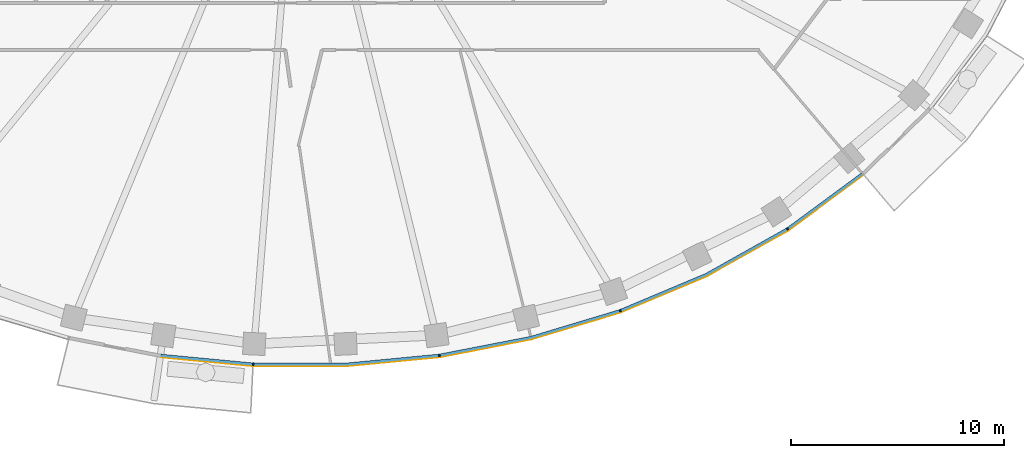
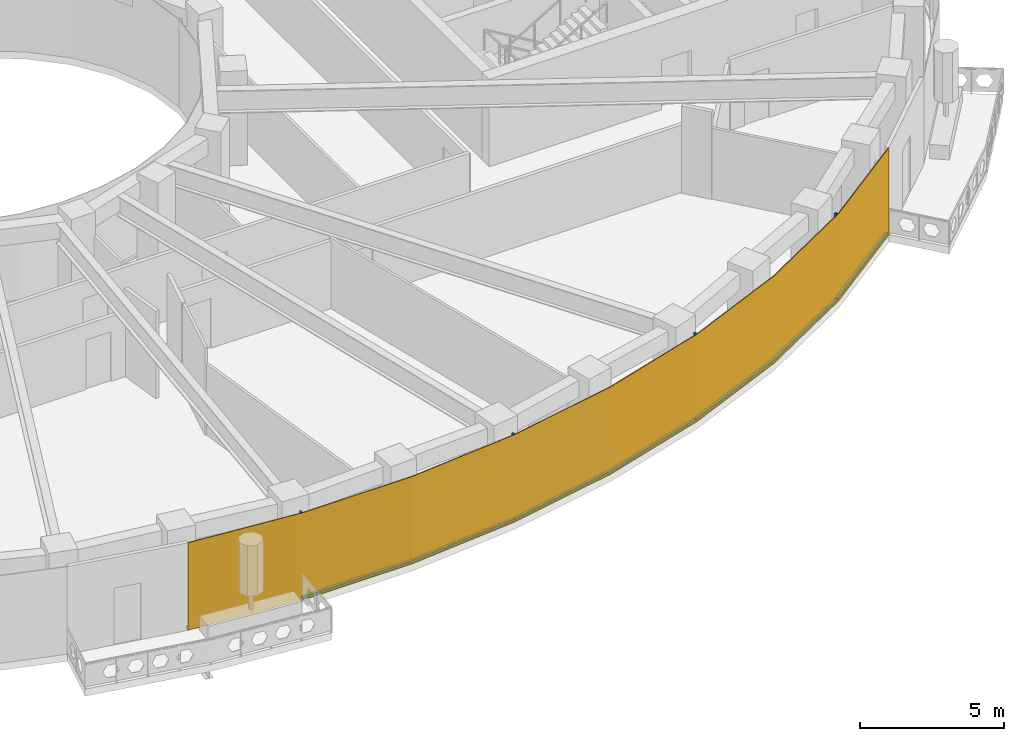
# One storey, part 9 of 16: 9 members, 1 curtain wall.
"""IFC4 building model written with IfcOpenShell, lengths in metres."""

from ifc_helpers import new_model, si_unit, direction, frame, origin, origin_2d, place, context, subcontext, project, spatial, polyline, rectangle, outline, extrude, material, layer, layer_set, material_profile, profile_set, type_object, element, aggregate, save


model = new_model("IFC4")

# Units and contexts
model_context = context("Model", 3, precision=1e-05, world=origin(), true_north=direction((0.0, 1.0)))
body_context = subcontext(model_context, "Body", "Model", "MODEL_VIEW")
ifc_project = project(units=[si_unit("LENGTHUNIT", "METRE"), si_unit("AREAUNIT", "SQUARE_METRE"), si_unit("VOLUMEUNIT", "CUBIC_METRE"), si_unit("PLANEANGLEUNIT", "RADIAN"), si_unit("MASSUNIT", "GRAM", prefix="KILO")], contexts=[model_context])

# Member
ifc_material_1 = material(Name="Aluminium 6063-T6 black anodised", Category="aluminium")
ifc_material_profile = material_profile(ifc_material_1, rectangle(XDim=0.1201171875, YDim=0.06005859375, at=origin_2d()), Name="120x60")
ifc_profile_set = profile_set([ifc_material_profile], Name="Aluminium 6063-T6 black anodised")
member_type_1 = type_object("IfcMemberType", Name="ENV-MULLION-A-120", PredefinedType="MULLION", material=ifc_profile_set)
site_placement = place(None, origin())
building_placement = place(site_placement, origin())
storey_placement = place(building_placement, frame((0.0, 0.0, 261.5)))
member_1_placement = place(storey_placement, frame((-2.188720703125, -27.856201171875, 0.0), z_axis=(0.0, 0.0, 1.0), x_axis=(0.047557873581, 0.998868484166, 0.0)))
member_1 = element("IfcMember", 1, at=member_1_placement, type_object=member_type_1, Name="Mullion A radial 35", PredefinedType="MULLION", context=body_context, shape_type="SweptSolid", body=[
    extrude(rectangle(XDim=0.1201171875, YDim=0.06005859375, at=origin_2d()), origin(), (0.0, 0.0, 1.0), 3.699951171875),
])

member_2_placement = place(storey_placement, frame((6.54638671875, -27.440185546875, 0.0), z_axis=(0.0, 0.0, 1.0), x_axis=(-0.143082012705, 0.989710835366, 0.0)))
member_2 = element("IfcMember", 2, at=member_2_placement, type_object=member_type_1, Name="Mullion A radial 37", PredefinedType="MULLION", context=body_context, shape_type="SweptSolid", body=[
    extrude(rectangle(XDim=0.1201171875, YDim=0.06005859375, at=origin_2d()), origin(), (0.0, 0.0, 1.0), 3.699951171875),
])

member_3_placement = place(storey_placement, frame((15.0341796875, -25.34375, 0.0), z_axis=(0.0, 0.0, 1.0), x_axis=(-0.338379256581, 0.941009818608, 0.0)))
member_3 = element("IfcMember", 3, at=member_3_placement, type_object=member_type_1, Name="Mullion A radial 39", PredefinedType="MULLION", context=body_context, shape_type="SweptSolid", body=[
    extrude(rectangle(XDim=0.1201171875, YDim=0.06005859375, at=origin_2d()), origin(), (0.0, 0.0, 1.0), 3.699951171875),
])

member_4_placement = place(storey_placement, frame((22.882568359375, -21.506591796875, 0.0), z_axis=(0.0, 0.0, 1.0), x_axis=(-0.542279153225, 0.840198381323, 0.0)))
member_4 = element("IfcMember", 4, at=member_4_placement, type_object=member_type_1, Name="Mullion A radial 41", PredefinedType="MULLION", context=body_context, shape_type="SweptSolid", body=[
    extrude(rectangle(XDim=0.1201171875, YDim=0.06005859375, at=origin_2d()), origin(), (0.0, 0.0, 1.0), 3.699951171875),
])

ifc_material_2 = material(Name="Aluminium 6063-T6 black anodised", Category="aluminium")
member_type_2 = type_object("IfcMemberType", Name="ENV-TRANSOM-A", PredefinedType="USERDEFINED", material=ifc_material_2)
member_5_placement = place(storey_placement, origin())
member_5 = element("IfcMember", 5, at=member_5_placement, type_object=member_type_2, Name="Transom A radial 34-35", ObjectType="TRANSOM", PredefinedType="USERDEFINED", context=body_context, shape_type="SweptSolid", body=[
    extrude(outline(polyline([(-6.53515625, -27.50146484375), (-2.219482421875, -27.913330078125), (-2.2138671875, -27.793212890625), (-6.51806640625, -27.382568359375), (-6.53515625, -27.50146484375)])), origin(), (0.0, 0.0, 1.0), 0.10009765625),
])

member_6_placement = place(storey_placement, origin())
member_6 = element("IfcMember", 6, at=member_6_placement, type_object=member_type_2, Name="Transom A radial 35-37", ObjectType="TRANSOM", PredefinedType="USERDEFINED", context=body_context, shape_type="SweptSolid", body=[
    extrude(outline(polyline([(-2.163818359375, -27.916015625), (2.191650390625, -27.916015625), (6.527099609375, -27.502197265625), (6.510009765625, -27.38330078125), (2.185791015625, -27.7958984375), (-2.157958984375, -27.7958984375), (-2.163818359375, -27.916015625)])), origin(), (0.0, 0.0, 1.0), 0.10009765625),
])

member_7_placement = place(storey_placement, origin())
member_7 = element("IfcMember", 7, at=member_7_placement, type_object=member_type_2, Name="Transom A radial 37-39", ObjectType="TRANSOM", PredefinedType="USERDEFINED", context=body_context, shape_type="SweptSolid", body=[
    extrude(outline(polyline([(6.58251953125, -27.494140625), (10.857666015625, -26.6630859375), (15.027587890625, -25.408203125), (14.987060546875, -25.295166015625), (10.828857421875, -26.54638671875), (6.5654296875, -27.375244140625), (6.58251953125, -27.494140625)])), origin(), (0.0, 0.0, 1.0), 0.10009765625),
])

member_8_placement = place(storey_placement, origin())
member_8 = element("IfcMember", 8, at=member_8_placement, type_object=member_type_2, Name="Transom A radial 39-41", ObjectType="TRANSOM", PredefinedType="USERDEFINED", context=body_context, shape_type="SweptSolid", body=[
    extrude(outline(polyline([(15.080322265625, -25.389404296875), (19.093994140625, -23.701416015625), (22.890625, -21.570556640625), (22.825439453125, -21.469482421875), (19.041259765625, -23.593505859375), (15.03955078125, -25.276123046875), (15.080322265625, -25.389404296875)])), origin(), (0.0, 0.0, 1.0), 0.10009765625),
])

member_9_placement = place(storey_placement, origin())
member_9 = element("IfcMember", 9, at=member_9_placement, type_object=member_type_2, Name="Transom A radial 41-42", ObjectType="TRANSOM", PredefinedType="USERDEFINED", context=body_context, shape_type="SweptSolid", body=[
    extrude(outline(polyline([(22.937744140625, -21.540283203125), (26.42626953125, -18.970703125), (26.348388671875, -18.87890625), (22.87255859375, -21.439208984375), (22.937744140625, -21.540283203125)])), origin(), (0.0, 0.0, 1.0), 0.10009765625),
])

# Site, building, storey
site = spatial("IfcSite", under=ifc_project, at=site_placement, CompositionType="ELEMENT")
building = spatial("IfcBuilding", under=site, at=building_placement, Name="Noorbagh Ring Tower", CompositionType="ELEMENT")
storey = spatial("IfcBuildingStorey", under=building, at=storey_placement, Name="L55", CompositionType="ELEMENT", Elevation=261.5)

# Curtain wall
ifc_material_3 = material(Name="Glass dark tinted laminated", Category="glass")
ifc_layer = layer(ifc_material_3, 0.031982421875)
ifc_layer_set = layer_set([ifc_layer], Name="Glass dark tinted laminated")
curtain_wall_type = type_object("IfcCurtainWallType", Name="ENV-CW-A", PredefinedType="NOTDEFINED", material=ifc_layer_set)
curtain_wall_placement = place(storey_placement, origin())
curtain_wall = element("IfcCurtainWall", 10, at=curtain_wall_placement, inside=storey, type_object=curtain_wall_type, Name="Curtain wall A R34", PredefinedType="NOTDEFINED", context=body_context, shape_type="SweptSolid", body=[
    extrude(outline(polyline([(-6.539794921875, -27.533203125), (-2.193115234375, -27.947998046875), (2.193115234375, -27.947998046875), (6.559814453125, -27.53125), (10.865234375, -26.6943359375), (15.065185546875, -25.430419921875), (19.108154296875, -23.730224609375), (22.9326171875, -21.583740234375), (26.447021484375, -18.9951171875), (26.42626953125, -18.970703125), (22.9150390625, -21.556884765625), (19.093994140625, -23.701416015625), (15.054443359375, -25.400146484375), (10.857666015625, -26.6630859375), (6.55517578125, -27.49951171875), (2.191650390625, -27.916015625), (-2.191650390625, -27.916015625), (-6.53515625, -27.50146484375), (-6.539794921875, -27.533203125)])), origin(), (0.0, 0.0, 1.0), 3.699951171875),
])

aggregate(curtain_wall, [member_1, member_2, member_3, member_4, member_5, member_6, member_7, member_8, member_9])

save(model, "model.ifc")
